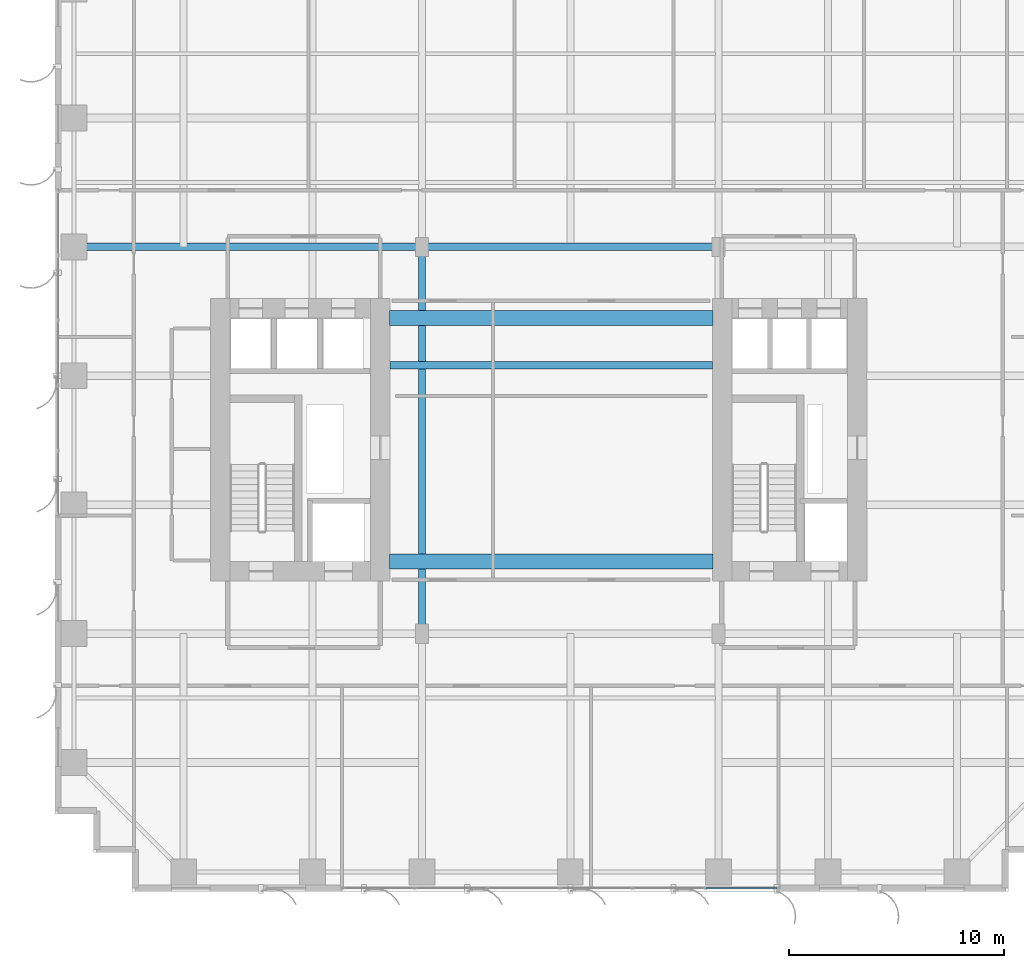
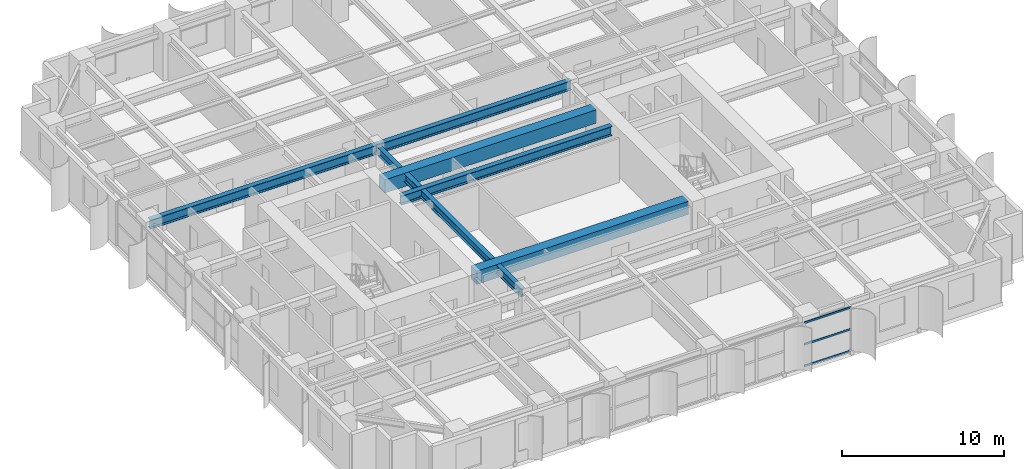
# One storey, part 8 of 25: 6 beams, 3 members, 1 element without a shape of its own.
"""IFC4 building model written with IfcOpenShell, lengths in metres."""

import ifcopenshell
import ifcopenshell.guid

model = None  # the IFC model being written
_history = None  # IfcOwnerHistory: only IFC2X3 demands one
_inside = {}  # id of a spatial element -> (the spatial element, [elements in it])
_under = {}  # id of a project, library or spatial element -> (it, [spatial elements below it])
_declared = {}  # id of a project -> (the project, [libraries it declares])
_typed = {}  # id of a type object -> (the type object, [elements of that type])
_made_of = {}  # id of a material, layer set ... -> (it, [elements and type objects made of it])


def new_model(schema):
    """Start an empty IFC model of exactly this schema.

    Asked for "IFC4X3", IfcOpenShell would pick the latest addendum, in which some entities
    have other attributes; the version numbers below select the first issue.
    IFC2X3 requires an IfcOwnerHistory on every rooted entity: one is made here for all.
    """
    global model, _history
    if schema == "IFC4X3":
        model = ifcopenshell.file(schema_version=(4, 3, 0, 0))
    else:
        model = ifcopenshell.file(schema=schema)
    _inside.clear()
    _under.clear()
    _declared.clear()
    _typed.clear()
    _made_of.clear()
    _history = None
    if model.schema == "IFC2X3":
        org = make("IfcOrganization", Name="unknown")
        user = make(
            "IfcPersonAndOrganization",
            ThePerson=make("IfcPerson", FamilyName="unknown"),
            TheOrganization=org,
        )
        app = make(
            "IfcApplication",
            ApplicationDeveloper=org,
            Version="unknown",
            ApplicationFullName="unknown",
            ApplicationIdentifier="unknown",
        )
        _history = make(
            "IfcOwnerHistory",
            OwningUser=user,
            OwningApplication=app,
            ChangeAction="ADDED",
            CreationDate=0,
        )
    return model


def make(cls, **values):
    """One entity of the class cls with the attributes given. An attribute that is None is left unset."""
    return model.create_entity(
        cls, **{name: value for name, value in values.items() if value is not None}
    )


def rooted(cls, **values):
    """An entity with a GlobalId (a new one), such as an element, a storey or a relation."""
    return make(cls, GlobalId=ifcopenshell.guid.new(), OwnerHistory=_history, **values)


def si_unit(unit_type, name, prefix=None):
    """IfcSIUnit, for example si_unit("LENGTHUNIT", "METRE", prefix="MILLI")."""
    return make("IfcSIUnit", UnitType=unit_type, Prefix=prefix, Name=name)


def assignment(units):
    """IfcUnitAssignment: the units of a project."""
    return None if units is None else make("IfcUnitAssignment", Units=units)


def point(xyz):
    """IfcCartesianPoint."""
    return None if xyz is None else make("IfcCartesianPoint", Coordinates=xyz)


def direction(xyz):
    """IfcDirection."""
    return None if xyz is None else make("IfcDirection", DirectionRatios=xyz)


def frame(location, z_axis=None, x_axis=None):
    """IfcAxis2Placement3D, a coordinate frame: its origin and axes. An axis left out is left unset."""
    return make(
        "IfcAxis2Placement3D",
        Location=point(location),
        Axis=direction(z_axis),
        RefDirection=direction(x_axis),
    )


def frame_2d(location, x_axis=None):
    """IfcAxis2Placement2D, a coordinate frame in the plane: its origin and x axis."""
    return make(
        "IfcAxis2Placement2D", Location=point(location), RefDirection=direction(x_axis)
    )


def origin():
    """The frame at (0, 0, 0) with its axes left unset."""
    return frame((0.0, 0.0, 0.0))


def origin_2d():
    """The frame at (0, 0) in the plane with its x axis left unset."""
    return frame_2d((0.0, 0.0))


def place(relative_to, where):
    """IfcLocalPlacement: puts the frame where relative to a parent placement (None: the world)."""
    return make(
        "IfcLocalPlacement", PlacementRelTo=relative_to, RelativePlacement=where
    )


def context(
    kind, dimensions, precision=None, world=None, true_north=None, identifier=None
):
    """IfcGeometricRepresentationContext, for example the 3D "Model" context."""
    return make(
        "IfcGeometricRepresentationContext",
        ContextIdentifier=identifier,
        ContextType=kind,
        CoordinateSpaceDimension=dimensions,
        Precision=precision,
        WorldCoordinateSystem=world,
        TrueNorth=true_north,
    )


def subcontext(parent, identifier, kind, view, scale=None):
    """IfcGeometricRepresentationSubContext, for example "Body" below "Model"."""
    return make(
        "IfcGeometricRepresentationSubContext",
        ContextIdentifier=identifier,
        ContextType=kind,
        ParentContext=parent,
        TargetScale=scale,
        TargetView=view,
    )


def project(units=None, contexts=None):
    """IfcProject with its units and contexts."""
    return rooted(
        "IfcProject",
        Name="project",
        RepresentationContexts=contexts,
        UnitsInContext=assignment(units),
    )


def spatial(cls, under=None, at=None, **own):
    """A site, building, storey or space (cls), placed at a placement, below another one or the project."""
    s = rooted(cls, ObjectPlacement=at, **own)
    if under is not None:
        _under.setdefault(under.id(), (under, []))[1].append(s)
    return s


def profile(cls, at=None, kind="AREA", **sizes):
    """A parametric profile (cls). Its sizes go by their IFC names, for example OverallWidth=200.0."""
    return make(cls, ProfileType=kind, Position=at, **sizes)


def rectangle(**sizes):
    """IfcRectangleProfileDef."""
    return profile("IfcRectangleProfileDef", **sizes)


def hollow_rectangle(**sizes):
    """IfcRectangleHollowProfileDef."""
    return profile("IfcRectangleHollowProfileDef", **sizes)


def i_section(**sizes):
    """IfcIShapeProfileDef."""
    return profile("IfcIShapeProfileDef", **sizes)


def extrude(swept, where, along, depth):
    """IfcExtrudedAreaSolid: the profile swept, set in the frame where, extruded along a direction by depth."""
    return make(
        "IfcExtrudedAreaSolid",
        SweptArea=swept,
        Position=where,
        ExtrudedDirection=direction(along),
        Depth=depth,
    )


def shape(context_of_items, identifier, shape_type, items):
    """IfcShapeRepresentation: the items that make up one representation, for example the "Body"."""
    return make(
        "IfcShapeRepresentation",
        ContextOfItems=context_of_items,
        RepresentationIdentifier=identifier,
        RepresentationType=shape_type,
        Items=items,
    )


def source(mapping_origin, context_of_items, identifier, shape_type, items):
    """IfcRepresentationMap: a shape defined once, which mapped items show again and again."""
    return make(
        "IfcRepresentationMap",
        MappingOrigin=mapping_origin,
        MappedRepresentation=shape(context_of_items, identifier, shape_type, items),
    )


def transform(
    local_origin,
    x_axis=None,
    y_axis=None,
    z_axis=None,
    scale=None,
    scale2=None,
    scale3=None,
    uniform=True,
):
    """IfcCartesianTransformationOperator3D, or its non-uniform kind. x_axis, y_axis, z_axis: its Axis1, 2, 3."""
    if uniform:
        return make(
            "IfcCartesianTransformationOperator3D",
            Axis1=direction(x_axis),
            Axis2=direction(y_axis),
            LocalOrigin=point(local_origin),
            Scale=scale,
            Axis3=direction(z_axis),
        )
    return make(
        "IfcCartesianTransformationOperator3DnonUniform",
        Axis1=direction(x_axis),
        Axis2=direction(y_axis),
        LocalOrigin=point(local_origin),
        Scale=scale,
        Axis3=direction(z_axis),
        Scale2=scale2,
        Scale3=scale3,
    )


def mapped(mapping_source, mapping_target):
    """IfcMappedItem: shows the shape of a source again, moved by a transform."""
    return make(
        "IfcMappedItem", MappingSource=mapping_source, MappingTarget=mapping_target
    )


def material(Name=None, Category=None):
    """IfcMaterial."""
    return make("IfcMaterial", Name=Name, Category=Category)


def layer(
    of_material, thickness, ventilated=None, Name=None, Category=None, Priority=None
):
    """IfcMaterialLayer: one layer of a wall or slab, of a material (None: an air gap)."""
    return make(
        "IfcMaterialLayer",
        Material=of_material,
        LayerThickness=thickness,
        IsVentilated=ventilated,
        Name=Name,
        Category=Category,
        Priority=Priority,
    )


def layer_set(layers, Name=None):
    """IfcMaterialLayerSet."""
    return make("IfcMaterialLayerSet", MaterialLayers=layers, LayerSetName=Name)


def material_profile(
    of_material, cross_section, Name=None, Category=None, Priority=None
):
    """IfcMaterialProfile: a cross section and its material."""
    return make(
        "IfcMaterialProfile",
        Name=Name,
        Material=of_material,
        Profile=cross_section,
        Priority=Priority,
        Category=Category,
    )


def profile_set(profiles, Name=None, composite=None):
    """IfcMaterialProfileSet."""
    return make(
        "IfcMaterialProfileSet",
        Name=Name,
        MaterialProfiles=profiles,
        CompositeProfile=composite,
    )


def made_of(thing, what):
    """Note that an element or type object is made of a material, layer set ...; save() writes the relation."""
    if what is not None:
        _made_of.setdefault(what.id(), (what, []))[1].append(thing)
    return thing


def type_object(cls, material=None, **own):
    """A type object (cls), such as IfcWallType, which elements share."""
    return made_of(rooted(cls, **own), material)


def element(
    cls,
    number,
    at=None,
    inside=None,
    cuts=None,
    type_object=None,
    material=None,
    context=None,
    identifier="Body",
    shape_type=None,
    held_by="IfcProductDefinitionShape",
    body=None,
    shapes=None,
    **own,
):
    """One element of the class cls, such as IfcWall. Its Tag is "e" and its number.

    at: its placement. inside: the storey or other place that contains it. cuts: it is an
    opening in that element (IfcRelVoidsElement). A single representation is given by context,
    identifier, shape_type and body (its items); several are given by shapes. held_by: the class
    of the entity that holds the representations. save() writes the other relations.
    """
    e = rooted(cls, Tag="e%d" % number, ObjectPlacement=at, **own)
    if body is not None:
        shapes = [shape(context, identifier, shape_type, body)]
    if shapes is not None:
        e.Representation = make(held_by, Representations=shapes)
    if inside is not None:
        _inside.setdefault(inside.id(), (inside, []))[1].append(e)
    if cuts is not None:
        rooted(
            "IfcRelVoidsElement", RelatingBuildingElement=cuts, RelatedOpeningElement=e
        )
    if type_object is not None:
        _typed.setdefault(type_object.id(), (type_object, []))[1].append(e)
    return made_of(e, material)


def aggregate(whole, parts):
    """IfcRelAggregates: a whole, such as a stair, and the parts it consists of."""
    return rooted("IfcRelAggregates", RelatingObject=whole, RelatedObjects=parts)


def save(model, path):
    """Write the relations noted so far, then the file.

    IfcRelAggregates (storeys below a building ...), IfcRelContainedInSpatialStructure (elements
    in a storey), IfcRelDefinesByType, IfcRelAssociatesMaterial and IfcRelDeclares: one each for
    every whole, place, type object, material and project.
    """
    for whole, parts in _under.values():
        aggregate(whole, parts)
    for where, things in _inside.values():
        rooted(
            "IfcRelContainedInSpatialStructure",
            RelatedElements=things,
            RelatingStructure=where,
        )
    for kind, things in _typed.values():
        rooted("IfcRelDefinesByType", RelatedObjects=things, RelatingType=kind)
    for what, things in _made_of.values():
        rooted("IfcRelAssociatesMaterial", RelatedObjects=things, RelatingMaterial=what)
    for by, libraries in _declared.values():
        rooted("IfcRelDeclares", RelatingContext=by, RelatedDefinitions=libraries)
    model.write(path)


model = new_model("IFC4")

# Units and contexts
model_context = context("Model", 3, precision=1e-05, world=origin(), true_north=direction((0.0, 1.0)))
body_context = subcontext(model_context, "Body", "Model", "MODEL_VIEW")
ifc_project = project(units=[si_unit("LENGTHUNIT", "METRE"), si_unit("AREAUNIT", "SQUARE_METRE"), si_unit("VOLUMEUNIT", "CUBIC_METRE"), si_unit("PLANEANGLEUNIT", "RADIAN"), si_unit("MASSUNIT", "GRAM", prefix="KILO")], contexts=[model_context])

# Site, building, storey
site_placement = place(None, origin())
site = spatial("IfcSite", under=ifc_project, at=site_placement, CompositionType="ELEMENT")
building_placement = place(site_placement, origin())
building = spatial("IfcBuilding", under=site, at=building_placement, Name="Khoralis Quay Care Tower", CompositionType="ELEMENT")
storey_placement = place(building_placement, frame((0.0, 0.0, 51.300048828125)))
storey = spatial("IfcBuildingStorey", under=building, at=storey_placement, Name="L13", CompositionType="ELEMENT", Elevation=51.300048828125)

# Beams
ifc_material_1 = material(Name="Concrete C80/95", Category="concrete")
ifc_material_profile_1 = material_profile(ifc_material_1, rectangle(XDim=0.699951171875, YDim=1.0, at=origin_2d()), Name="Concrete C80/95")
ifc_profile_set_1 = profile_set([ifc_material_profile_1], Name="Concrete C80/95")
beam_type_1 = type_object("IfcBeamType", Name="CB-RC700X1000", PredefinedType="LINTEL", material=ifc_profile_set_1)
shared_shape_1 = source(origin(), body_context, "Body", "SweptSolid", [
    extrude(rectangle(XDim=0.699951171875, YDim=1.0, at=origin_2d()), origin(), (0.0, 0.0, 1.0), 15.079833984375),
])
for number, where, z_axis, x_axis, name in (
    (1, (15.570068359375, 15.35009765625, 2.820068359375), (1.0, 0.0, 0.0), (0.0, 1.0, 0.0), "L13 South Core Coupling Lintel"),
    (2, (15.570068359375, 26.699951171875, 2.820068359375), (1.0, 0.0, 0.0), (0.0, 1.0, 0.0), "L13 North Core Coupling Lintel"),
):
    element("IfcBeam", number, at=place(storey_placement, frame(where, z_axis=z_axis, x_axis=x_axis)), inside=storey, type_object=beam_type_1, Name=name, PredefinedType="LINTEL", context=body_context, shape_type="MappedRepresentation", body=[
        mapped(shared_shape_1, transform((0.0, 0.0, 0.0), scale=1.0)),
    ])
ifc_material_2 = material(Name="Steel S355", Category="steel")
ifc_material_profile_2 = material_profile(ifc_material_2, i_section(OverallWidth=0.35498046875, OverallDepth=0.695068359375, WebThickness=0.015380859375, FlangeThickness=0.02490234375, FilletRadius=0.02001953125, at=origin_2d()), Name="Steel S355")
ifc_profile_set_2 = profile_set([ifc_material_profile_2], Name="Steel S355")
beam_type_2 = type_object("IfcBeamType", Name="BM-W690X217", PredefinedType="BEAM", material=ifc_profile_set_2)
shared_shape_2 = source(origin(), body_context, "Body", "SweptSolid", [
    extrude(i_section(OverallWidth=0.35498046875, OverallDepth=0.695068359375, WebThickness=0.015380859375, FlangeThickness=0.02490234375, FilletRadius=0.02001953125, at=origin_2d()), origin(), (0.0, 0.0, 1.0), 16.2001953125),
])
beam_1_placement = place(storey_placement, frame((0.89990234375, 30.0, 2.972412109375), z_axis=(1.0, 0.0, 0.0), x_axis=(0.0, 1.0, 0.0)))
element("IfcBeam", 3, at=beam_1_placement, inside=storey, type_object=beam_type_2, Name="BM-TGXW-L13-300", PredefinedType="BEAM", context=body_context, shape_type="MappedRepresentation", body=[
    mapped(shared_shape_2, transform((0.0, 0.0, 0.0), scale=1.0)),
])
shared_shape_3 = source(origin(), body_context, "Body", "SweptSolid", [
    extrude(i_section(OverallWidth=0.35498046875, OverallDepth=0.695068359375, WebThickness=0.015380859375, FlangeThickness=0.02490234375, FilletRadius=0.02001953125, at=origin_2d()), origin(), (0.0, 0.0, 1.0), 13.7998046875),
])
beam_2_placement = place(storey_placement, frame((17.10009765625, 30.0, 2.972412109375), z_axis=(1.0, 0.0, 0.0), x_axis=(0.0, 1.0, 0.0)))
element("IfcBeam", 4, at=beam_2_placement, inside=storey, type_object=beam_type_2, Name="BM-TGCC-L13-300", PredefinedType="BEAM", context=body_context, shape_type="MappedRepresentation", body=[
    mapped(shared_shape_3, transform((0.0, 0.0, 0.0), scale=1.0)),
])
shared_shape_4 = source(origin(), body_context, "Body", "SweptSolid", [
    extrude(i_section(OverallWidth=0.35498046875, OverallDepth=0.695068359375, WebThickness=0.015380859375, FlangeThickness=0.02490234375, FilletRadius=0.02001953125, at=origin_2d()), origin(), (0.0, 0.0, 1.0), 15.024169921875),
])
beam_3_placement = place(storey_placement, frame((15.597900390625, 24.5, 2.972412109375), z_axis=(1.0, 0.0, 0.0), x_axis=(0.0, 1.0, 0.0)))
element("IfcBeam", 5, at=beam_3_placement, inside=storey, type_object=beam_type_2, Name="BM-TGCC-L13-245", PredefinedType="BEAM", context=body_context, shape_type="MappedRepresentation", body=[
    mapped(shared_shape_4, transform((0.0, 0.0, 0.0), scale=1.0)),
])
ifc_material_profile_3 = material_profile(ifc_material_2, i_section(OverallWidth=0.324951171875, OverallDepth=0.615966796875, WebThickness=0.013916015625, FlangeThickness=0.021484375, FilletRadius=0.01806640625, at=origin_2d()), Name="Steel S355")
ifc_profile_set_3 = profile_set([ifc_material_profile_3], Name="Steel S355")
beam_type_3 = type_object("IfcBeamType", Name="BM-W610X174", PredefinedType="BEAM", material=ifc_profile_set_3)
shared_shape_5 = source(origin(), body_context, "Body", "SweptSolid", [
    extrude(i_section(OverallWidth=0.324951171875, OverallDepth=0.615966796875, WebThickness=0.013916015625, FlangeThickness=0.021484375, FilletRadius=0.01806640625, at=origin_2d()), origin(), (0.0, 0.0, 1.0), 18.0),
])
beam_4_placement = place(storey_placement, frame((17.10009765625, 12.0, 3.011962890625), z_axis=(0.0, 1.0, 0.0), x_axis=(-1.0, 0.0, 0.0)))
element("IfcBeam", 6, at=beam_4_placement, inside=storey, type_object=beam_type_3, Name="BM-TGSW-L13", PredefinedType="BEAM", context=body_context, shape_type="MappedRepresentation", body=[
    mapped(shared_shape_5, transform((0.0, 0.0, 0.0), scale=1.0)),
])

# Curtain wall, members
ifc_material_3 = material(Name="Pale anodised aluminium", Category="aluminium")
ifc_layer = layer(ifc_material_3, 0.179931640625)
ifc_layer_set = layer_set([ifc_layer], Name="Pale anodised aluminium")
curtain_wall_type = type_object("IfcCurtainWallType", Name="CW-SYS-Z1", PredefinedType="NOTDEFINED", material=ifc_layer_set)
curtain_wall_placement = place(storey_placement, origin())
curtain_wall = element("IfcCurtainWall", 7, at=curtain_wall_placement, inside=storey, type_object=curtain_wall_type, Name="L13 Unitised Curtain Wall CW-L13-P1-E0", PredefinedType="NOTDEFINED")
ifc_material_profile_4 = material_profile(ifc_material_3, hollow_rectangle(XDim=0.06005859375, YDim=0.139892578125, WallThickness=0.00390625, at=origin_2d()), Name="Pale anodised aluminium")
ifc_profile_set_4 = profile_set([ifc_material_profile_4], Name="Pale anodised aluminium")
member_type = type_object("IfcMemberType", Name="CW-TRN-140", PredefinedType="USERDEFINED", material=ifc_profile_set_4)
shared_shape_6 = source(origin(), body_context, "Body", "SweptSolid", [
    extrude(hollow_rectangle(XDim=0.06005859375, YDim=0.139892578125, WallThickness=0.00390625, at=origin_2d()), origin(), (0.0, 0.0, 1.0), 3.296875),
])
member_1_placement = place(storey_placement, frame((30.3232421875, 0.14990234375, 0.030029296875), z_axis=(1.0, 0.0, 0.0), x_axis=(0.0, 1.0, 0.0)))
member_1 = element("IfcMember", 8, at=member_1_placement, type_object=member_type, Name="CW1 transom 6.1", ObjectType="TRANSOM", PredefinedType="USERDEFINED", context=body_context, shape_type="MappedRepresentation", body=[
    mapped(shared_shape_6, transform((0.0, 0.0, 0.0), scale=1.0)),
])
member_2_placement = place(storey_placement, frame((30.3232421875, 0.14990234375, 1.659912109375), z_axis=(1.0, 0.0, 0.0), x_axis=(0.0, 1.0, 0.0)))
member_2 = element("IfcMember", 9, at=member_2_placement, type_object=member_type, Name="CW1 transom 6.2", ObjectType="TRANSOM", PredefinedType="USERDEFINED", context=body_context, shape_type="MappedRepresentation", body=[
    mapped(shared_shape_6, transform((0.0, 0.0, 0.0), scale=1.0)),
])
member_3_placement = place(storey_placement, frame((30.3232421875, 0.14990234375, 3.2900390625), z_axis=(1.0, 0.0, 0.0), x_axis=(0.0, 1.0, 0.0)))
member_3 = element("IfcMember", 10, at=member_3_placement, type_object=member_type, Name="CW1 transom 6.3", ObjectType="TRANSOM", PredefinedType="USERDEFINED", context=body_context, shape_type="MappedRepresentation", body=[
    mapped(shared_shape_6, transform((0.0, 0.0, 0.0), scale=1.0)),
])
aggregate(curtain_wall, [member_1, member_2, member_3])

save(model, "model.ifc")
